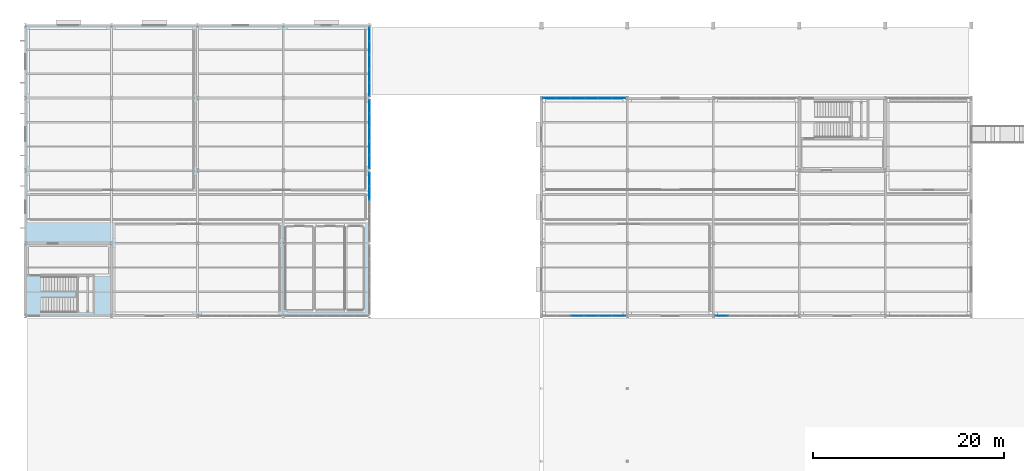
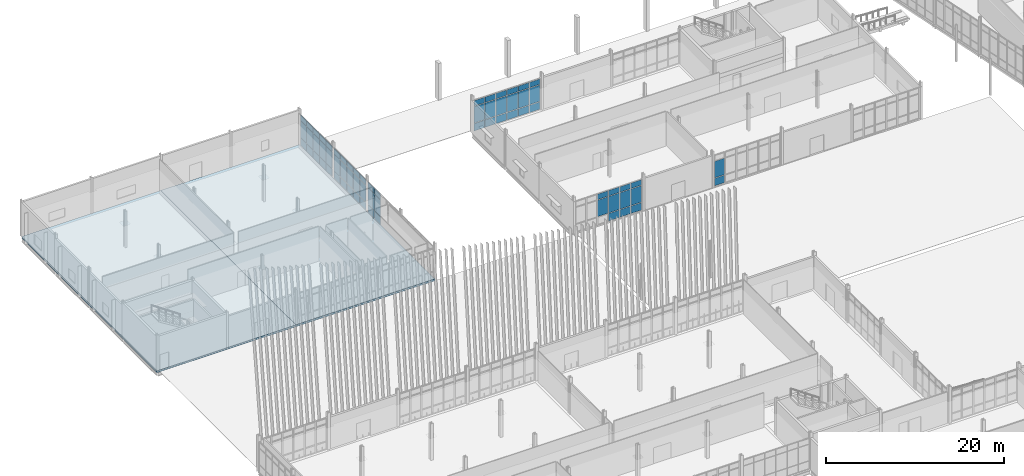
# One storey, part 128 of 161: 67 plates, 2 slabs, 6 elements without a shape of their own.
"""IFC4 building model written with IfcOpenShell, lengths in metres."""

from ifc_helpers import new_model, si_unit, direction, frame, origin, origin_2d, place, context, subcontext, project, spatial, polyline, rectangle, outline, extrude, material, layer, layer_set, type_object, element, aggregate, save


model = new_model("IFC4")

# Units and contexts
model_context = context("Model", 3, precision=1e-05, world=origin(), true_north=direction((0.0, 1.0)))
body_context = subcontext(model_context, "Body", "Model", "MODEL_VIEW")
ifc_project = project(units=[si_unit("LENGTHUNIT", "METRE"), si_unit("AREAUNIT", "SQUARE_METRE"), si_unit("VOLUMEUNIT", "CUBIC_METRE"), si_unit("PLANEANGLEUNIT", "RADIAN"), si_unit("MASSUNIT", "GRAM", prefix="KILO")], contexts=[model_context])

# Site, building, storey
site_placement = place(None, origin())
site = spatial("IfcSite", under=ifc_project, at=site_placement, CompositionType="ELEMENT")
building_placement = place(site_placement, origin())
building = spatial("IfcBuilding", under=site, at=building_placement, Name="Caisbarro Railhouse Central Library", CompositionType="ELEMENT")
storey_placement = place(building_placement, origin())
storey = spatial("IfcBuildingStorey", under=building, at=storey_placement, Name="L00", CompositionType="ELEMENT", Elevation=0.0)

# Curtain wall, plates
ifc_material_1 = material(Name="Anodised architectural aluminium", Category="aluminium")
curtain_wall_type_1 = type_object("IfcCurtainWallType", Name="CW-CW02", PredefinedType="NOTDEFINED", material=ifc_material_1)
curtain_wall_1_placement = place(storey_placement, origin())
curtain_wall_1 = element("IfcCurtainWall", 1, at=curtain_wall_1_placement, inside=storey, type_object=curtain_wall_type_1, Name="CW02 curtain wall L00 #166", PredefinedType="NOTDEFINED")
ifc_material_2 = material(Name="Double low-e laminated solar-control glass", Category="glass")
ifc_layer_1 = layer(ifc_material_2, 0.01806640625, Name="Double low-e laminated solar-control glass")
ifc_layer_set_1 = layer_set([ifc_layer_1], Name="Double low-e laminated solar-control glass")
plate_type_1 = type_object("IfcPlateType", Name="CWP-CP18", PredefinedType="CURTAIN_PANEL", material=ifc_layer_set_1)
plate_1_placement = place(storey_placement, frame((57.776611328125, 83.60009765625, 1.15234375), z_axis=(0.0, 0.0, 1.0), x_axis=(1.0, 0.0, 0.0)))
plate_1 = element("IfcPlate", 2, at=plate_1_placement, type_object=plate_type_1, Name="CW02 panel 3.2", PredefinedType="CURTAIN_PANEL", context=body_context, shape_type="SweptSolid", body=[
    extrude(rectangle(XDim=1.37158203125, YDim=0.01806640625, at=origin_2d()), origin(), (0.0, 0.0, 1.0), 2.264892578125),
])
plate_2_placement = place(storey_placement, frame((57.776611328125, 83.60009765625, 3.482421875), z_axis=(0.0, 0.0, 1.0), x_axis=(1.0, 0.0, 0.0)))
plate_2 = element("IfcPlate", 3, at=plate_2_placement, type_object=plate_type_1, Name="CW02 panel 3.3", PredefinedType="CURTAIN_PANEL", context=body_context, shape_type="SweptSolid", body=[
    extrude(rectangle(XDim=1.37158203125, YDim=0.01806640625, at=origin_2d()), origin(), (0.0, 0.0, 1.0), 0.75244140625),
])
plate_3_placement = place(storey_placement, frame((59.223388671875, 83.60009765625, 0.06494140625), z_axis=(0.0, 0.0, 1.0), x_axis=(1.0, 0.0, 0.0)))
plate_3 = element("IfcPlate", 4, at=plate_3_placement, type_object=plate_type_1, Name="CW02 panel 4.1", PredefinedType="CURTAIN_PANEL", context=body_context, shape_type="SweptSolid", body=[
    extrude(rectangle(XDim=1.37158203125, YDim=0.01806640625, at=origin_2d()), origin(), (0.0, 0.0, 1.0), 1.0224609375),
])
plate_4_placement = place(storey_placement, frame((59.223388671875, 83.60009765625, 1.15234375), z_axis=(0.0, 0.0, 1.0), x_axis=(1.0, 0.0, 0.0)))
plate_4 = element("IfcPlate", 5, at=plate_4_placement, type_object=plate_type_1, Name="CW02 panel 4.2", PredefinedType="CURTAIN_PANEL", context=body_context, shape_type="SweptSolid", body=[
    extrude(rectangle(XDim=1.37158203125, YDim=0.01806640625, at=origin_2d()), origin(), (0.0, 0.0, 1.0), 2.264892578125),
])
plate_5_placement = place(storey_placement, frame((59.223388671875, 83.60009765625, 3.482421875), z_axis=(0.0, 0.0, 1.0), x_axis=(1.0, 0.0, 0.0)))
plate_5 = element("IfcPlate", 6, at=plate_5_placement, type_object=plate_type_1, Name="CW02 panel 4.3", PredefinedType="CURTAIN_PANEL", context=body_context, shape_type="SweptSolid", body=[
    extrude(rectangle(XDim=1.37158203125, YDim=0.01806640625, at=origin_2d()), origin(), (0.0, 0.0, 1.0), 0.75244140625),
])
plate_6_placement = place(storey_placement, frame((60.669921875, 83.60009765625, 0.06494140625), z_axis=(0.0, 0.0, 1.0), x_axis=(1.0, 0.0, 0.0)))
plate_6 = element("IfcPlate", 7, at=plate_6_placement, type_object=plate_type_1, Name="CW02 panel 5.1", PredefinedType="CURTAIN_PANEL", context=body_context, shape_type="SweptSolid", body=[
    extrude(rectangle(XDim=1.37158203125, YDim=0.01806640625, at=origin_2d()), origin(), (0.0, 0.0, 1.0), 1.0224609375),
])
plate_7_placement = place(storey_placement, frame((60.669921875, 83.60009765625, 1.15234375), z_axis=(0.0, 0.0, 1.0), x_axis=(1.0, 0.0, 0.0)))
plate_7 = element("IfcPlate", 8, at=plate_7_placement, type_object=plate_type_1, Name="CW02 panel 5.2", PredefinedType="CURTAIN_PANEL", context=body_context, shape_type="SweptSolid", body=[
    extrude(rectangle(XDim=1.37158203125, YDim=0.01806640625, at=origin_2d()), origin(), (0.0, 0.0, 1.0), 2.264892578125),
])
plate_8_placement = place(storey_placement, frame((60.669921875, 83.60009765625, 3.482421875), z_axis=(0.0, 0.0, 1.0), x_axis=(1.0, 0.0, 0.0)))
plate_8 = element("IfcPlate", 9, at=plate_8_placement, type_object=plate_type_1, Name="CW02 panel 5.3", PredefinedType="CURTAIN_PANEL", context=body_context, shape_type="SweptSolid", body=[
    extrude(rectangle(XDim=1.37158203125, YDim=0.01806640625, at=origin_2d()), origin(), (0.0, 0.0, 1.0), 0.75244140625),
])
plate_9_placement = place(storey_placement, frame((62.097900390625, 83.60009765625, 0.06494140625), z_axis=(0.0, 0.0, 1.0), x_axis=(1.0, 0.0, 0.0)))
plate_9 = element("IfcPlate", 10, at=plate_9_placement, type_object=plate_type_1, Name="CW02 panel 6.1", PredefinedType="CURTAIN_PANEL", context=body_context, shape_type="SweptSolid", body=[
    extrude(rectangle(XDim=1.334228515625, YDim=0.01806640625, at=origin_2d()), origin(), (0.0, 0.0, 1.0), 1.0224609375),
])
plate_10_placement = place(storey_placement, frame((62.097900390625, 83.60009765625, 1.15234375), z_axis=(0.0, 0.0, 1.0), x_axis=(1.0, 0.0, 0.0)))
plate_10 = element("IfcPlate", 11, at=plate_10_placement, type_object=plate_type_1, Name="CW02 panel 6.2", PredefinedType="CURTAIN_PANEL", context=body_context, shape_type="SweptSolid", body=[
    extrude(rectangle(XDim=1.334228515625, YDim=0.01806640625, at=origin_2d()), origin(), (0.0, 0.0, 1.0), 2.264892578125),
])
plate_11_placement = place(storey_placement, frame((62.097900390625, 83.60009765625, 3.482421875), z_axis=(0.0, 0.0, 1.0), x_axis=(1.0, 0.0, 0.0)))
plate_11 = element("IfcPlate", 12, at=plate_11_placement, type_object=plate_type_1, Name="CW02 panel 6.3", PredefinedType="CURTAIN_PANEL", context=body_context, shape_type="SweptSolid", body=[
    extrude(rectangle(XDim=1.334228515625, YDim=0.01806640625, at=origin_2d()), origin(), (0.0, 0.0, 1.0), 0.75244140625),
])
aggregate(curtain_wall_1, [plate_1, plate_2, plate_3, plate_4, plate_5, plate_6, plate_7, plate_8, plate_9, plate_10, plate_11])

curtain_wall_2_placement = place(storey_placement, origin())
curtain_wall_2 = element("IfcCurtainWall", 13, at=curtain_wall_2_placement, inside=storey, type_object=curtain_wall_type_1, Name="CW02 curtain wall L00 #168", PredefinedType="NOTDEFINED")
plate_12_placement = place(storey_placement, frame((72.902099609375, 83.60009765625, 0.06494140625), z_axis=(0.0, 0.0, 1.0), x_axis=(1.0, 0.0, 0.0)))
plate_12 = element("IfcPlate", 14, at=plate_12_placement, type_object=plate_type_1, Name="CW02 panel 1.1", PredefinedType="CURTAIN_PANEL", context=body_context, shape_type="SweptSolid", body=[
    extrude(rectangle(XDim=1.334228515625, YDim=0.01806640625, at=origin_2d()), origin(), (0.0, 0.0, 1.0), 1.0224609375),
])
plate_13_placement = place(storey_placement, frame((72.902099609375, 83.60009765625, 1.15234375), z_axis=(0.0, 0.0, 1.0), x_axis=(1.0, 0.0, 0.0)))
plate_13 = element("IfcPlate", 15, at=plate_13_placement, type_object=plate_type_1, Name="CW02 panel 1.2", PredefinedType="CURTAIN_PANEL", context=body_context, shape_type="SweptSolid", body=[
    extrude(rectangle(XDim=1.334228515625, YDim=0.01806640625, at=origin_2d()), origin(), (0.0, 0.0, 1.0), 2.264892578125),
])
aggregate(curtain_wall_2, [plate_12, plate_13])

curtain_wall_3_placement = place(storey_placement, origin())
curtain_wall_3 = element("IfcCurtainWall", 16, at=curtain_wall_3_placement, inside=storey, type_object=curtain_wall_type_1, Name="CW02 curtain wall L00 #77", PredefinedType="NOTDEFINED")
ifc_layer_2 = layer(ifc_material_2, 0.028076171875, Name="Double low-e laminated solar-control glass")
ifc_layer_set_2 = layer_set([ifc_layer_2], Name="Double low-e laminated solar-control glass")
plate_type_2 = type_object("IfcPlateType", Name="CWP-CP28", PredefinedType="CURTAIN_PANEL", material=ifc_layer_set_2)
plate_14_placement = place(storey_placement, frame((36.0, 96.4560546875, 0.06494140625), z_axis=(0.0, 0.0, 1.0), x_axis=(0.0, 1.0, 0.0)))
plate_14 = element("IfcPlate", 17, at=plate_14_placement, type_object=plate_type_2, Name="CW02 panel 4.1", PredefinedType="CURTAIN_PANEL", context=body_context, shape_type="SweptSolid", body=[
    extrude(rectangle(XDim=1.381103515625, YDim=0.028076171875, at=origin_2d()), origin(), (0.0, 0.0, 1.0), 1.0224609375),
])
plate_15_placement = place(storey_placement, frame((36.0, 96.4560546875, 1.15234375), z_axis=(0.0, 0.0, 1.0), x_axis=(0.0, 1.0, 0.0)))
plate_15 = element("IfcPlate", 18, at=plate_15_placement, type_object=plate_type_2, Name="CW02 panel 4.2", PredefinedType="CURTAIN_PANEL", context=body_context, shape_type="SweptSolid", body=[
    extrude(rectangle(XDim=1.381103515625, YDim=0.028076171875, at=origin_2d()), origin(), (0.0, 0.0, 1.0), 2.264892578125),
])
plate_16_placement = place(storey_placement, frame((36.0, 96.4560546875, 3.482421875), z_axis=(0.0, 0.0, 1.0), x_axis=(0.0, 1.0, 0.0)))
plate_16 = element("IfcPlate", 19, at=plate_16_placement, type_object=plate_type_2, Name="CW02 panel 4.3", PredefinedType="CURTAIN_PANEL", context=body_context, shape_type="SweptSolid", body=[
    extrude(rectangle(XDim=1.381103515625, YDim=0.028076171875, at=origin_2d()), origin(), (0.0, 0.0, 1.0), 0.75244140625),
])
plate_17_placement = place(storey_placement, frame((36.0, 97.893310546875, 0.06494140625), z_axis=(0.0, 0.0, 1.0), x_axis=(0.0, 1.0, 0.0)))
plate_17 = element("IfcPlate", 20, at=plate_17_placement, type_object=plate_type_2, Name="CW02 panel 5.1", PredefinedType="CURTAIN_PANEL", context=body_context, shape_type="SweptSolid", body=[
    extrude(rectangle(XDim=1.343505859375, YDim=0.028076171875, at=origin_2d()), origin(), (0.0, 0.0, 1.0), 1.0224609375),
])
plate_18_placement = place(storey_placement, frame((36.0, 97.893310546875, 1.15234375), z_axis=(0.0, 0.0, 1.0), x_axis=(0.0, 1.0, 0.0)))
plate_18 = element("IfcPlate", 21, at=plate_18_placement, type_object=plate_type_2, Name="CW02 panel 5.2", PredefinedType="CURTAIN_PANEL", context=body_context, shape_type="SweptSolid", body=[
    extrude(rectangle(XDim=1.343505859375, YDim=0.028076171875, at=origin_2d()), origin(), (0.0, 0.0, 1.0), 2.264892578125),
])
plate_19_placement = place(storey_placement, frame((36.0, 97.893310546875, 3.482421875), z_axis=(0.0, 0.0, 1.0), x_axis=(0.0, 1.0, 0.0)))
plate_19 = element("IfcPlate", 22, at=plate_19_placement, type_object=plate_type_2, Name="CW02 panel 5.3", PredefinedType="CURTAIN_PANEL", context=body_context, shape_type="SweptSolid", body=[
    extrude(rectangle(XDim=1.343505859375, YDim=0.028076171875, at=origin_2d()), origin(), (0.0, 0.0, 1.0), 0.75244140625),
])
aggregate(curtain_wall_3, [plate_14, plate_15, plate_16, plate_17, plate_18, plate_19])

curtain_wall_4_placement = place(storey_placement, origin())
curtain_wall_4 = element("IfcCurtainWall", 23, at=curtain_wall_4_placement, inside=storey, type_object=curtain_wall_type_1, Name="CW02 curtain wall L00 #78", PredefinedType="NOTDEFINED")
plate_20_placement = place(storey_placement, frame((36.0, 99.706787109375, 0.06494140625), z_axis=(0.0, 0.0, 1.0), x_axis=(0.0, 1.0, 0.0)))
plate_20 = element("IfcPlate", 24, at=plate_20_placement, type_object=plate_type_2, Name="CW02 panel 1.1", PredefinedType="CURTAIN_PANEL", context=body_context, shape_type="SweptSolid", body=[
    extrude(rectangle(XDim=1.343505859375, YDim=0.028076171875, at=origin_2d()), origin(), (0.0, 0.0, 1.0), 1.0224609375),
])
plate_21_placement = place(storey_placement, frame((36.0, 99.706787109375, 1.15234375), z_axis=(0.0, 0.0, 1.0), x_axis=(0.0, 1.0, 0.0)))
plate_21 = element("IfcPlate", 25, at=plate_21_placement, type_object=plate_type_2, Name="CW02 panel 1.2", PredefinedType="CURTAIN_PANEL", context=body_context, shape_type="SweptSolid", body=[
    extrude(rectangle(XDim=1.343505859375, YDim=0.028076171875, at=origin_2d()), origin(), (0.0, 0.0, 1.0), 2.264892578125),
])
plate_22_placement = place(storey_placement, frame((36.0, 99.706787109375, 3.482421875), z_axis=(0.0, 0.0, 1.0), x_axis=(0.0, 1.0, 0.0)))
plate_22 = element("IfcPlate", 26, at=plate_22_placement, type_object=plate_type_2, Name="CW02 panel 1.3", PredefinedType="CURTAIN_PANEL", context=body_context, shape_type="SweptSolid", body=[
    extrude(rectangle(XDim=1.343505859375, YDim=0.028076171875, at=origin_2d()), origin(), (0.0, 0.0, 1.0), 0.75244140625),
])
plate_23_placement = place(storey_placement, frame((36.0, 101.14404296875, 0.06494140625), z_axis=(0.0, 0.0, 1.0), x_axis=(0.0, 1.0, 0.0)))
plate_23 = element("IfcPlate", 27, at=plate_23_placement, type_object=plate_type_2, Name="CW02 panel 2.1", PredefinedType="CURTAIN_PANEL", context=body_context, shape_type="SweptSolid", body=[
    extrude(rectangle(XDim=1.381103515625, YDim=0.028076171875, at=origin_2d()), origin(), (0.0, 0.0, 1.0), 1.0224609375),
])
plate_24_placement = place(storey_placement, frame((36.0, 101.14404296875, 1.15234375), z_axis=(0.0, 0.0, 1.0), x_axis=(0.0, 1.0, 0.0)))
plate_24 = element("IfcPlate", 28, at=plate_24_placement, type_object=plate_type_2, Name="CW02 panel 2.2", PredefinedType="CURTAIN_PANEL", context=body_context, shape_type="SweptSolid", body=[
    extrude(rectangle(XDim=1.381103515625, YDim=0.028076171875, at=origin_2d()), origin(), (0.0, 0.0, 1.0), 2.264892578125),
])
plate_25_placement = place(storey_placement, frame((36.0, 101.14404296875, 3.482421875), z_axis=(0.0, 0.0, 1.0), x_axis=(0.0, 1.0, 0.0)))
plate_25 = element("IfcPlate", 29, at=plate_25_placement, type_object=plate_type_2, Name="CW02 panel 2.3", PredefinedType="CURTAIN_PANEL", context=body_context, shape_type="SweptSolid", body=[
    extrude(rectangle(XDim=1.381103515625, YDim=0.028076171875, at=origin_2d()), origin(), (0.0, 0.0, 1.0), 0.75244140625),
])
plate_26_placement = place(storey_placement, frame((36.0, 102.60009765625, 0.06494140625), z_axis=(0.0, 0.0, 1.0), x_axis=(0.0, 1.0, 0.0)))
plate_26 = element("IfcPlate", 30, at=plate_26_placement, type_object=plate_type_2, Name="CW02 panel 3.1", PredefinedType="CURTAIN_PANEL", context=body_context, shape_type="SweptSolid", body=[
    extrude(rectangle(XDim=1.381103515625, YDim=0.028076171875, at=origin_2d()), origin(), (0.0, 0.0, 1.0), 1.0224609375),
])
plate_27_placement = place(storey_placement, frame((36.0, 102.60009765625, 1.15234375), z_axis=(0.0, 0.0, 1.0), x_axis=(0.0, 1.0, 0.0)))
plate_27 = element("IfcPlate", 31, at=plate_27_placement, type_object=plate_type_2, Name="CW02 panel 3.2", PredefinedType="CURTAIN_PANEL", context=body_context, shape_type="SweptSolid", body=[
    extrude(rectangle(XDim=1.381103515625, YDim=0.028076171875, at=origin_2d()), origin(), (0.0, 0.0, 1.0), 2.264892578125),
])
plate_28_placement = place(storey_placement, frame((36.0, 102.60009765625, 3.482421875), z_axis=(0.0, 0.0, 1.0), x_axis=(0.0, 1.0, 0.0)))
plate_28 = element("IfcPlate", 32, at=plate_28_placement, type_object=plate_type_2, Name="CW02 panel 3.3", PredefinedType="CURTAIN_PANEL", context=body_context, shape_type="SweptSolid", body=[
    extrude(rectangle(XDim=1.381103515625, YDim=0.028076171875, at=origin_2d()), origin(), (0.0, 0.0, 1.0), 0.75244140625),
])
plate_29_placement = place(storey_placement, frame((36.0, 104.055908203125, 0.06494140625), z_axis=(0.0, 0.0, 1.0), x_axis=(0.0, 1.0, 0.0)))
plate_29 = element("IfcPlate", 33, at=plate_29_placement, type_object=plate_type_2, Name="CW02 panel 4.1", PredefinedType="CURTAIN_PANEL", context=body_context, shape_type="SweptSolid", body=[
    extrude(rectangle(XDim=1.381103515625, YDim=0.028076171875, at=origin_2d()), origin(), (0.0, 0.0, 1.0), 1.0224609375),
])
plate_30_placement = place(storey_placement, frame((36.0, 104.055908203125, 1.15234375), z_axis=(0.0, 0.0, 1.0), x_axis=(0.0, 1.0, 0.0)))
plate_30 = element("IfcPlate", 34, at=plate_30_placement, type_object=plate_type_2, Name="CW02 panel 4.2", PredefinedType="CURTAIN_PANEL", context=body_context, shape_type="SweptSolid", body=[
    extrude(rectangle(XDim=1.381103515625, YDim=0.028076171875, at=origin_2d()), origin(), (0.0, 0.0, 1.0), 2.264892578125),
])
plate_31_placement = place(storey_placement, frame((36.0, 104.055908203125, 3.482421875), z_axis=(0.0, 0.0, 1.0), x_axis=(0.0, 1.0, 0.0)))
plate_31 = element("IfcPlate", 35, at=plate_31_placement, type_object=plate_type_2, Name="CW02 panel 4.3", PredefinedType="CURTAIN_PANEL", context=body_context, shape_type="SweptSolid", body=[
    extrude(rectangle(XDim=1.381103515625, YDim=0.028076171875, at=origin_2d()), origin(), (0.0, 0.0, 1.0), 0.75244140625),
])
plate_32_placement = place(storey_placement, frame((36.0, 105.4931640625, 0.06494140625), z_axis=(0.0, 0.0, 1.0), x_axis=(0.0, 1.0, 0.0)))
plate_32 = element("IfcPlate", 36, at=plate_32_placement, type_object=plate_type_2, Name="CW02 panel 5.1", PredefinedType="CURTAIN_PANEL", context=body_context, shape_type="SweptSolid", body=[
    extrude(rectangle(XDim=1.343505859375, YDim=0.028076171875, at=origin_2d()), origin(), (0.0, 0.0, 1.0), 1.0224609375),
])
plate_33_placement = place(storey_placement, frame((36.0, 105.4931640625, 1.15234375), z_axis=(0.0, 0.0, 1.0), x_axis=(0.0, 1.0, 0.0)))
plate_33 = element("IfcPlate", 37, at=plate_33_placement, type_object=plate_type_2, Name="CW02 panel 5.2", PredefinedType="CURTAIN_PANEL", context=body_context, shape_type="SweptSolid", body=[
    extrude(rectangle(XDim=1.343505859375, YDim=0.028076171875, at=origin_2d()), origin(), (0.0, 0.0, 1.0), 2.264892578125),
])
plate_34_placement = place(storey_placement, frame((36.0, 105.4931640625, 3.482421875), z_axis=(0.0, 0.0, 1.0), x_axis=(0.0, 1.0, 0.0)))
plate_34 = element("IfcPlate", 38, at=plate_34_placement, type_object=plate_type_2, Name="CW02 panel 5.3", PredefinedType="CURTAIN_PANEL", context=body_context, shape_type="SweptSolid", body=[
    extrude(rectangle(XDim=1.343505859375, YDim=0.028076171875, at=origin_2d()), origin(), (0.0, 0.0, 1.0), 0.75244140625),
])
aggregate(curtain_wall_4, [plate_20, plate_21, plate_22, plate_23, plate_24, plate_25, plate_26, plate_27, plate_28, plate_29, plate_30, plate_31, plate_32, plate_33, plate_34])

curtain_wall_5_placement = place(storey_placement, origin())
curtain_wall_5 = element("IfcCurtainWall", 39, at=curtain_wall_5_placement, inside=storey, type_object=curtain_wall_type_1, Name="CW02 curtain wall L00 #79", PredefinedType="NOTDEFINED")
plate_35_placement = place(storey_placement, frame((36.0, 107.306640625, 0.06494140625), z_axis=(0.0, 0.0, 1.0), x_axis=(0.0, 1.0, 0.0)))
plate_35 = element("IfcPlate", 40, at=plate_35_placement, type_object=plate_type_2, Name="CW02 panel 1.1", PredefinedType="CURTAIN_PANEL", context=body_context, shape_type="SweptSolid", body=[
    extrude(rectangle(XDim=1.343505859375, YDim=0.028076171875, at=origin_2d()), origin(), (0.0, 0.0, 1.0), 1.0224609375),
])
plate_36_placement = place(storey_placement, frame((36.0, 107.306640625, 1.15234375), z_axis=(0.0, 0.0, 1.0), x_axis=(0.0, 1.0, 0.0)))
plate_36 = element("IfcPlate", 41, at=plate_36_placement, type_object=plate_type_2, Name="CW02 panel 1.2", PredefinedType="CURTAIN_PANEL", context=body_context, shape_type="SweptSolid", body=[
    extrude(rectangle(XDim=1.343505859375, YDim=0.028076171875, at=origin_2d()), origin(), (0.0, 0.0, 1.0), 2.264892578125),
])
plate_37_placement = place(storey_placement, frame((36.0, 107.306640625, 3.482421875), z_axis=(0.0, 0.0, 1.0), x_axis=(0.0, 1.0, 0.0)))
plate_37 = element("IfcPlate", 42, at=plate_37_placement, type_object=plate_type_2, Name="CW02 panel 1.3", PredefinedType="CURTAIN_PANEL", context=body_context, shape_type="SweptSolid", body=[
    extrude(rectangle(XDim=1.343505859375, YDim=0.028076171875, at=origin_2d()), origin(), (0.0, 0.0, 1.0), 0.75244140625),
])
plate_38_placement = place(storey_placement, frame((36.0, 108.743896484375, 0.06494140625), z_axis=(0.0, 0.0, 1.0), x_axis=(0.0, 1.0, 0.0)))
plate_38 = element("IfcPlate", 43, at=plate_38_placement, type_object=plate_type_2, Name="CW02 panel 2.1", PredefinedType="CURTAIN_PANEL", context=body_context, shape_type="SweptSolid", body=[
    extrude(rectangle(XDim=1.381103515625, YDim=0.028076171875, at=origin_2d()), origin(), (0.0, 0.0, 1.0), 1.0224609375),
])
plate_39_placement = place(storey_placement, frame((36.0, 108.743896484375, 1.15234375), z_axis=(0.0, 0.0, 1.0), x_axis=(0.0, 1.0, 0.0)))
plate_39 = element("IfcPlate", 44, at=plate_39_placement, type_object=plate_type_2, Name="CW02 panel 2.2", PredefinedType="CURTAIN_PANEL", context=body_context, shape_type="SweptSolid", body=[
    extrude(rectangle(XDim=1.381103515625, YDim=0.028076171875, at=origin_2d()), origin(), (0.0, 0.0, 1.0), 2.264892578125),
])
plate_40_placement = place(storey_placement, frame((36.0, 108.743896484375, 3.482421875), z_axis=(0.0, 0.0, 1.0), x_axis=(0.0, 1.0, 0.0)))
plate_40 = element("IfcPlate", 45, at=plate_40_placement, type_object=plate_type_2, Name="CW02 panel 2.3", PredefinedType="CURTAIN_PANEL", context=body_context, shape_type="SweptSolid", body=[
    extrude(rectangle(XDim=1.381103515625, YDim=0.028076171875, at=origin_2d()), origin(), (0.0, 0.0, 1.0), 0.75244140625),
])
plate_41_placement = place(storey_placement, frame((36.0, 110.199951171875, 0.06494140625), z_axis=(0.0, 0.0, 1.0), x_axis=(0.0, 1.0, 0.0)))
plate_41 = element("IfcPlate", 46, at=plate_41_placement, type_object=plate_type_2, Name="CW02 panel 3.1", PredefinedType="CURTAIN_PANEL", context=body_context, shape_type="SweptSolid", body=[
    extrude(rectangle(XDim=1.381103515625, YDim=0.028076171875, at=origin_2d()), origin(), (0.0, 0.0, 1.0), 1.0224609375),
])
plate_42_placement = place(storey_placement, frame((36.0, 110.199951171875, 1.15234375), z_axis=(0.0, 0.0, 1.0), x_axis=(0.0, 1.0, 0.0)))
plate_42 = element("IfcPlate", 47, at=plate_42_placement, type_object=plate_type_2, Name="CW02 panel 3.2", PredefinedType="CURTAIN_PANEL", context=body_context, shape_type="SweptSolid", body=[
    extrude(rectangle(XDim=1.381103515625, YDim=0.028076171875, at=origin_2d()), origin(), (0.0, 0.0, 1.0), 2.264892578125),
])
plate_43_placement = place(storey_placement, frame((36.0, 110.199951171875, 3.482421875), z_axis=(0.0, 0.0, 1.0), x_axis=(0.0, 1.0, 0.0)))
plate_43 = element("IfcPlate", 48, at=plate_43_placement, type_object=plate_type_2, Name="CW02 panel 3.3", PredefinedType="CURTAIN_PANEL", context=body_context, shape_type="SweptSolid", body=[
    extrude(rectangle(XDim=1.381103515625, YDim=0.028076171875, at=origin_2d()), origin(), (0.0, 0.0, 1.0), 0.75244140625),
])
plate_44_placement = place(storey_placement, frame((36.0, 111.656005859375, 0.06494140625), z_axis=(0.0, 0.0, 1.0), x_axis=(0.0, 1.0, 0.0)))
plate_44 = element("IfcPlate", 49, at=plate_44_placement, type_object=plate_type_2, Name="CW02 panel 4.1", PredefinedType="CURTAIN_PANEL", context=body_context, shape_type="SweptSolid", body=[
    extrude(rectangle(XDim=1.381103515625, YDim=0.028076171875, at=origin_2d()), origin(), (0.0, 0.0, 1.0), 1.0224609375),
])
plate_45_placement = place(storey_placement, frame((36.0, 111.656005859375, 1.15234375), z_axis=(0.0, 0.0, 1.0), x_axis=(0.0, 1.0, 0.0)))
plate_45 = element("IfcPlate", 50, at=plate_45_placement, type_object=plate_type_2, Name="CW02 panel 4.2", PredefinedType="CURTAIN_PANEL", context=body_context, shape_type="SweptSolid", body=[
    extrude(rectangle(XDim=1.381103515625, YDim=0.028076171875, at=origin_2d()), origin(), (0.0, 0.0, 1.0), 2.264892578125),
])
plate_46_placement = place(storey_placement, frame((36.0, 111.656005859375, 3.482421875), z_axis=(0.0, 0.0, 1.0), x_axis=(0.0, 1.0, 0.0)))
plate_46 = element("IfcPlate", 51, at=plate_46_placement, type_object=plate_type_2, Name="CW02 panel 4.3", PredefinedType="CURTAIN_PANEL", context=body_context, shape_type="SweptSolid", body=[
    extrude(rectangle(XDim=1.381103515625, YDim=0.028076171875, at=origin_2d()), origin(), (0.0, 0.0, 1.0), 0.75244140625),
])
plate_47_placement = place(storey_placement, frame((36.0, 113.09326171875, 0.06494140625), z_axis=(0.0, 0.0, 1.0), x_axis=(0.0, 1.0, 0.0)))
plate_47 = element("IfcPlate", 52, at=plate_47_placement, type_object=plate_type_2, Name="CW02 panel 5.1", PredefinedType="CURTAIN_PANEL", context=body_context, shape_type="SweptSolid", body=[
    extrude(rectangle(XDim=1.343505859375, YDim=0.028076171875, at=origin_2d()), origin(), (0.0, 0.0, 1.0), 1.0224609375),
])
plate_48_placement = place(storey_placement, frame((36.0, 113.09326171875, 1.15234375), z_axis=(0.0, 0.0, 1.0), x_axis=(0.0, 1.0, 0.0)))
plate_48 = element("IfcPlate", 53, at=plate_48_placement, type_object=plate_type_2, Name="CW02 panel 5.2", PredefinedType="CURTAIN_PANEL", context=body_context, shape_type="SweptSolid", body=[
    extrude(rectangle(XDim=1.343505859375, YDim=0.028076171875, at=origin_2d()), origin(), (0.0, 0.0, 1.0), 2.264892578125),
])
plate_49_placement = place(storey_placement, frame((36.0, 113.09326171875, 3.482421875), z_axis=(0.0, 0.0, 1.0), x_axis=(0.0, 1.0, 0.0)))
plate_49 = element("IfcPlate", 54, at=plate_49_placement, type_object=plate_type_2, Name="CW02 panel 5.3", PredefinedType="CURTAIN_PANEL", context=body_context, shape_type="SweptSolid", body=[
    extrude(rectangle(XDim=1.343505859375, YDim=0.028076171875, at=origin_2d()), origin(), (0.0, 0.0, 1.0), 0.75244140625),
])
aggregate(curtain_wall_5, [plate_35, plate_36, plate_37, plate_38, plate_39, plate_40, plate_41, plate_42, plate_43, plate_44, plate_45, plate_46, plate_47, plate_48, plate_49])

curtain_wall_type_2 = type_object("IfcCurtainWallType", Name="CW-CW03", PredefinedType="NOTDEFINED", material=ifc_material_1)
curtain_wall_6_placement = place(storey_placement, origin())
curtain_wall_6 = element("IfcCurtainWall", 55, at=curtain_wall_6_placement, inside=storey, type_object=curtain_wall_type_2, Name="CW03 curtain wall L00 #167", PredefinedType="NOTDEFINED")
ifc_layer_3 = layer(ifc_material_2, 0.0380859375, Name="Double low-e laminated solar-control glass")
ifc_layer_set_3 = layer_set([ifc_layer_3], Name="Double low-e laminated solar-control glass")
plate_type_3 = type_object("IfcPlateType", Name="CWP-CP38", PredefinedType="CURTAIN_PANEL", material=ifc_layer_set_3)
plate_50_placement = place(storey_placement, frame((54.899658203125, 106.39990234375, 0.0751953125), z_axis=(0.0, 0.0, 1.0), x_axis=(1.0, 0.0, 0.0)))
plate_50 = element("IfcPlate", 56, at=plate_50_placement, type_object=plate_type_3, Name="CW03 panel 1.1", PredefinedType="CURTAIN_PANEL", context=body_context, shape_type="SweptSolid", body=[
    extrude(rectangle(XDim=1.34912109375, YDim=0.0380859375, at=origin_2d()), origin(), (0.0, 0.0, 1.0), 1.007568359375),
])
plate_51_placement = place(storey_placement, frame((54.899658203125, 106.39990234375, 1.157470703125), z_axis=(0.0, 0.0, 1.0), x_axis=(1.0, 0.0, 0.0)))
plate_51 = element("IfcPlate", 57, at=plate_51_placement, type_object=plate_type_3, Name="CW03 panel 1.2", PredefinedType="CURTAIN_PANEL", context=body_context, shape_type="SweptSolid", body=[
    extrude(rectangle(XDim=1.34912109375, YDim=0.0380859375, at=origin_2d()), origin(), (0.0, 0.0, 1.0), 2.2548828125),
])
plate_52_placement = place(storey_placement, frame((54.899658203125, 106.39990234375, 3.4873046875), z_axis=(0.0, 0.0, 1.0), x_axis=(1.0, 0.0, 0.0)))
plate_52 = element("IfcPlate", 58, at=plate_52_placement, type_object=plate_type_3, Name="CW03 panel 1.3", PredefinedType="CURTAIN_PANEL", context=body_context, shape_type="SweptSolid", body=[
    extrude(rectangle(XDim=1.34912109375, YDim=0.0380859375, at=origin_2d()), origin(), (0.0, 0.0, 1.0), 0.737548828125),
])
plate_53_placement = place(storey_placement, frame((56.330078125, 106.39990234375, 0.0751953125), z_axis=(0.0, 0.0, 1.0), x_axis=(1.0, 0.0, 0.0)))
plate_53 = element("IfcPlate", 59, at=plate_53_placement, type_object=plate_type_3, Name="CW03 panel 2.1", PredefinedType="CURTAIN_PANEL", context=body_context, shape_type="SweptSolid", body=[
    extrude(rectangle(XDim=1.381591796875, YDim=0.0380859375, at=origin_2d()), origin(), (0.0, 0.0, 1.0), 1.007568359375),
])
plate_54_placement = place(storey_placement, frame((56.330078125, 106.39990234375, 1.157470703125), z_axis=(0.0, 0.0, 1.0), x_axis=(1.0, 0.0, 0.0)))
plate_54 = element("IfcPlate", 60, at=plate_54_placement, type_object=plate_type_3, Name="CW03 panel 2.2", PredefinedType="CURTAIN_PANEL", context=body_context, shape_type="SweptSolid", body=[
    extrude(rectangle(XDim=1.381591796875, YDim=0.0380859375, at=origin_2d()), origin(), (0.0, 0.0, 1.0), 2.2548828125),
])
plate_55_placement = place(storey_placement, frame((56.330078125, 106.39990234375, 3.4873046875), z_axis=(0.0, 0.0, 1.0), x_axis=(1.0, 0.0, 0.0)))
plate_55 = element("IfcPlate", 61, at=plate_55_placement, type_object=plate_type_3, Name="CW03 panel 2.3", PredefinedType="CURTAIN_PANEL", context=body_context, shape_type="SweptSolid", body=[
    extrude(rectangle(XDim=1.381591796875, YDim=0.0380859375, at=origin_2d()), origin(), (0.0, 0.0, 1.0), 0.737548828125),
])
plate_56_placement = place(storey_placement, frame((57.776611328125, 106.39990234375, 0.0751953125), z_axis=(0.0, 0.0, 1.0), x_axis=(1.0, 0.0, 0.0)))
plate_56 = element("IfcPlate", 62, at=plate_56_placement, type_object=plate_type_3, Name="CW03 panel 3.1", PredefinedType="CURTAIN_PANEL", context=body_context, shape_type="SweptSolid", body=[
    extrude(rectangle(XDim=1.381591796875, YDim=0.0380859375, at=origin_2d()), origin(), (0.0, 0.0, 1.0), 1.007568359375),
])
plate_57_placement = place(storey_placement, frame((57.776611328125, 106.39990234375, 1.157470703125), z_axis=(0.0, 0.0, 1.0), x_axis=(1.0, 0.0, 0.0)))
plate_57 = element("IfcPlate", 63, at=plate_57_placement, type_object=plate_type_3, Name="CW03 panel 3.2", PredefinedType="CURTAIN_PANEL", context=body_context, shape_type="SweptSolid", body=[
    extrude(rectangle(XDim=1.381591796875, YDim=0.0380859375, at=origin_2d()), origin(), (0.0, 0.0, 1.0), 2.2548828125),
])
plate_58_placement = place(storey_placement, frame((57.776611328125, 106.39990234375, 3.4873046875), z_axis=(0.0, 0.0, 1.0), x_axis=(1.0, 0.0, 0.0)))
plate_58 = element("IfcPlate", 64, at=plate_58_placement, type_object=plate_type_3, Name="CW03 panel 3.3", PredefinedType="CURTAIN_PANEL", context=body_context, shape_type="SweptSolid", body=[
    extrude(rectangle(XDim=1.381591796875, YDim=0.0380859375, at=origin_2d()), origin(), (0.0, 0.0, 1.0), 0.737548828125),
])
plate_59_placement = place(storey_placement, frame((59.223388671875, 106.39990234375, 0.0751953125), z_axis=(0.0, 0.0, 1.0), x_axis=(1.0, 0.0, 0.0)))
plate_59 = element("IfcPlate", 65, at=plate_59_placement, type_object=plate_type_3, Name="CW03 panel 4.1", PredefinedType="CURTAIN_PANEL", context=body_context, shape_type="SweptSolid", body=[
    extrude(rectangle(XDim=1.381591796875, YDim=0.0380859375, at=origin_2d()), origin(), (0.0, 0.0, 1.0), 1.007568359375),
])
plate_60_placement = place(storey_placement, frame((59.223388671875, 106.39990234375, 1.157470703125), z_axis=(0.0, 0.0, 1.0), x_axis=(1.0, 0.0, 0.0)))
plate_60 = element("IfcPlate", 66, at=plate_60_placement, type_object=plate_type_3, Name="CW03 panel 4.2", PredefinedType="CURTAIN_PANEL", context=body_context, shape_type="SweptSolid", body=[
    extrude(rectangle(XDim=1.381591796875, YDim=0.0380859375, at=origin_2d()), origin(), (0.0, 0.0, 1.0), 2.2548828125),
])
plate_61_placement = place(storey_placement, frame((59.223388671875, 106.39990234375, 3.4873046875), z_axis=(0.0, 0.0, 1.0), x_axis=(1.0, 0.0, 0.0)))
plate_61 = element("IfcPlate", 67, at=plate_61_placement, type_object=plate_type_3, Name="CW03 panel 4.3", PredefinedType="CURTAIN_PANEL", context=body_context, shape_type="SweptSolid", body=[
    extrude(rectangle(XDim=1.381591796875, YDim=0.0380859375, at=origin_2d()), origin(), (0.0, 0.0, 1.0), 0.737548828125),
])
plate_62_placement = place(storey_placement, frame((60.669921875, 106.39990234375, 0.0751953125), z_axis=(0.0, 0.0, 1.0), x_axis=(1.0, 0.0, 0.0)))
plate_62 = element("IfcPlate", 68, at=plate_62_placement, type_object=plate_type_3, Name="CW03 panel 5.1", PredefinedType="CURTAIN_PANEL", context=body_context, shape_type="SweptSolid", body=[
    extrude(rectangle(XDim=1.381591796875, YDim=0.0380859375, at=origin_2d()), origin(), (0.0, 0.0, 1.0), 1.007568359375),
])
plate_63_placement = place(storey_placement, frame((60.669921875, 106.39990234375, 1.157470703125), z_axis=(0.0, 0.0, 1.0), x_axis=(1.0, 0.0, 0.0)))
plate_63 = element("IfcPlate", 69, at=plate_63_placement, type_object=plate_type_3, Name="CW03 panel 5.2", PredefinedType="CURTAIN_PANEL", context=body_context, shape_type="SweptSolid", body=[
    extrude(rectangle(XDim=1.381591796875, YDim=0.0380859375, at=origin_2d()), origin(), (0.0, 0.0, 1.0), 2.2548828125),
])
plate_64_placement = place(storey_placement, frame((60.669921875, 106.39990234375, 3.4873046875), z_axis=(0.0, 0.0, 1.0), x_axis=(1.0, 0.0, 0.0)))
plate_64 = element("IfcPlate", 70, at=plate_64_placement, type_object=plate_type_3, Name="CW03 panel 5.3", PredefinedType="CURTAIN_PANEL", context=body_context, shape_type="SweptSolid", body=[
    extrude(rectangle(XDim=1.381591796875, YDim=0.0380859375, at=origin_2d()), origin(), (0.0, 0.0, 1.0), 0.737548828125),
])
plate_65_placement = place(storey_placement, frame((62.100341796875, 106.39990234375, 0.0751953125), z_axis=(0.0, 0.0, 1.0), x_axis=(1.0, 0.0, 0.0)))
plate_65 = element("IfcPlate", 71, at=plate_65_placement, type_object=plate_type_3, Name="CW03 panel 6.1", PredefinedType="CURTAIN_PANEL", context=body_context, shape_type="SweptSolid", body=[
    extrude(rectangle(XDim=1.34912109375, YDim=0.0380859375, at=origin_2d()), origin(), (0.0, 0.0, 1.0), 1.007568359375),
])
plate_66_placement = place(storey_placement, frame((62.100341796875, 106.39990234375, 1.157470703125), z_axis=(0.0, 0.0, 1.0), x_axis=(1.0, 0.0, 0.0)))
plate_66 = element("IfcPlate", 72, at=plate_66_placement, type_object=plate_type_3, Name="CW03 panel 6.2", PredefinedType="CURTAIN_PANEL", context=body_context, shape_type="SweptSolid", body=[
    extrude(rectangle(XDim=1.34912109375, YDim=0.0380859375, at=origin_2d()), origin(), (0.0, 0.0, 1.0), 2.2548828125),
])
plate_67_placement = place(storey_placement, frame((62.100341796875, 106.39990234375, 3.4873046875), z_axis=(0.0, 0.0, 1.0), x_axis=(1.0, 0.0, 0.0)))
plate_67 = element("IfcPlate", 73, at=plate_67_placement, type_object=plate_type_3, Name="CW03 panel 6.3", PredefinedType="CURTAIN_PANEL", context=body_context, shape_type="SweptSolid", body=[
    extrude(rectangle(XDim=1.34912109375, YDim=0.0380859375, at=origin_2d()), origin(), (0.0, 0.0, 1.0), 0.737548828125),
])
aggregate(curtain_wall_6, [plate_50, plate_51, plate_52, plate_53, plate_54, plate_55, plate_56, plate_57, plate_58, plate_59, plate_60, plate_61, plate_62, plate_63, plate_64, plate_65, plate_66, plate_67])

# Slabs
ifc_material_3 = material(Name="Concrete C35", Category="concrete")
ifc_layer_4 = layer(ifc_material_3, 0.25, Name="Concrete C35")
ifc_layer_set_4 = layer_set([ifc_layer_4], Name="Concrete C35")
slab_type = type_object("IfcSlabType", Name="SLB-BS25", PredefinedType="BASESLAB", material=ifc_layer_set_4)
slab_1_placement = place(storey_placement, frame((0.0, 0.0, -0.25)))
element("IfcSlab", 74, at=slab_1_placement, inside=storey, type_object=slab_type, Name="SB25 structural slab L00 V2.1", PredefinedType="BASESLAB", context=body_context, shape_type="SweptSolid", body=[
    extrude(outline(polyline([(0.0, 83.60009765625), (18.0, 83.60009765625), (18.0, 114.0), (0.0, 114.0), (0.0, 83.60009765625)])), origin(), (0.0, 0.0, 1.0), 0.25),
])
slab_2_placement = place(storey_placement, frame((0.0, 0.0, -0.25)))
element("IfcSlab", 75, at=slab_2_placement, inside=storey, type_object=slab_type, Name="SB25 structural slab L00 V2.2", PredefinedType="BASESLAB", context=body_context, shape_type="SweptSolid", body=[
    extrude(outline(polyline([(18.0, 83.60009765625), (36.0, 83.60009765625), (36.0, 114.0), (18.0, 114.0), (18.0, 83.60009765625)])), origin(), (0.0, 0.0, 1.0), 0.25),
])

save(model, "model.ifc")
